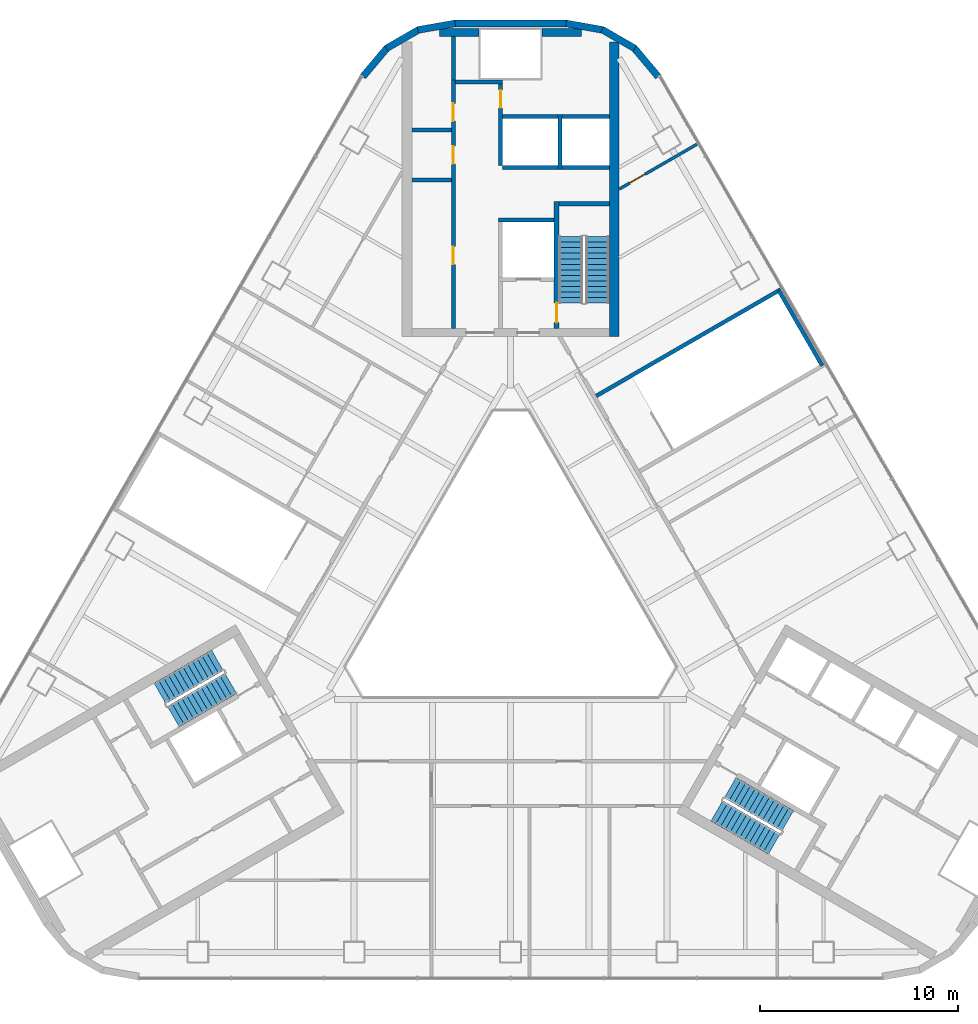
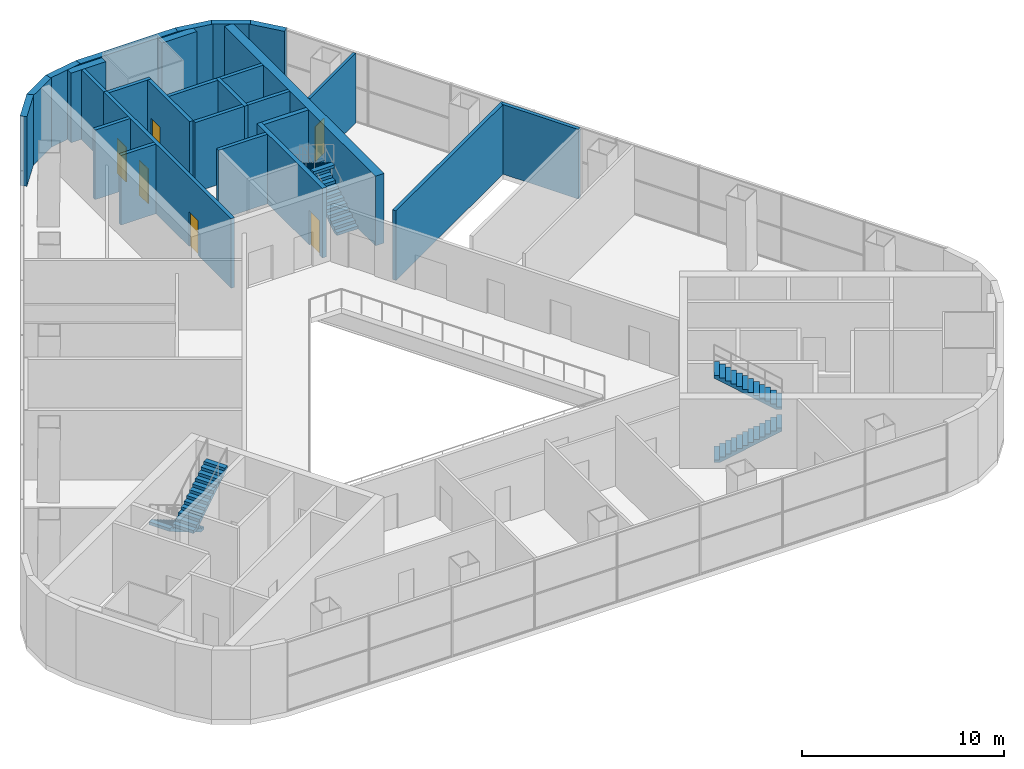
# One storey, part 10 of 12: 27 walls, 6 doors, 6 stair flights, 6 openings, 3 elements without a shape of their own.
"""IFC4 building model written with IfcOpenShell, lengths in metres."""

import ifcopenshell
import ifcopenshell.guid

model = None  # the IFC model being written
_history = None  # IfcOwnerHistory: only IFC2X3 demands one
_inside = {}  # id of a spatial element -> (the spatial element, [elements in it])
_under = {}  # id of a project, library or spatial element -> (it, [spatial elements below it])
_declared = {}  # id of a project -> (the project, [libraries it declares])
_typed = {}  # id of a type object -> (the type object, [elements of that type])
_made_of = {}  # id of a material, layer set ... -> (it, [elements and type objects made of it])


def new_model(schema):
    """Start an empty IFC model of exactly this schema.

    Asked for "IFC4X3", IfcOpenShell would pick the latest addendum, in which some entities
    have other attributes; the version numbers below select the first issue.
    IFC2X3 requires an IfcOwnerHistory on every rooted entity: one is made here for all.
    """
    global model, _history
    if schema == "IFC4X3":
        model = ifcopenshell.file(schema_version=(4, 3, 0, 0))
    else:
        model = ifcopenshell.file(schema=schema)
    _inside.clear()
    _under.clear()
    _declared.clear()
    _typed.clear()
    _made_of.clear()
    _history = None
    if model.schema == "IFC2X3":
        org = make("IfcOrganization", Name="unknown")
        user = make(
            "IfcPersonAndOrganization",
            ThePerson=make("IfcPerson", FamilyName="unknown"),
            TheOrganization=org,
        )
        app = make(
            "IfcApplication",
            ApplicationDeveloper=org,
            Version="unknown",
            ApplicationFullName="unknown",
            ApplicationIdentifier="unknown",
        )
        _history = make(
            "IfcOwnerHistory",
            OwningUser=user,
            OwningApplication=app,
            ChangeAction="ADDED",
            CreationDate=0,
        )
    return model


def make(cls, **values):
    """One entity of the class cls with the attributes given. An attribute that is None is left unset."""
    return model.create_entity(
        cls, **{name: value for name, value in values.items() if value is not None}
    )


def rooted(cls, **values):
    """An entity with a GlobalId (a new one), such as an element, a storey or a relation."""
    return make(cls, GlobalId=ifcopenshell.guid.new(), OwnerHistory=_history, **values)


def si_unit(unit_type, name, prefix=None):
    """IfcSIUnit, for example si_unit("LENGTHUNIT", "METRE", prefix="MILLI")."""
    return make("IfcSIUnit", UnitType=unit_type, Prefix=prefix, Name=name)


def assignment(units):
    """IfcUnitAssignment: the units of a project."""
    return None if units is None else make("IfcUnitAssignment", Units=units)


def point(xyz):
    """IfcCartesianPoint."""
    return None if xyz is None else make("IfcCartesianPoint", Coordinates=xyz)


def direction(xyz):
    """IfcDirection."""
    return None if xyz is None else make("IfcDirection", DirectionRatios=xyz)


def frame(location, z_axis=None, x_axis=None):
    """IfcAxis2Placement3D, a coordinate frame: its origin and axes. An axis left out is left unset."""
    return make(
        "IfcAxis2Placement3D",
        Location=point(location),
        Axis=direction(z_axis),
        RefDirection=direction(x_axis),
    )


def frame_2d(location, x_axis=None):
    """IfcAxis2Placement2D, a coordinate frame in the plane: its origin and x axis."""
    return make(
        "IfcAxis2Placement2D", Location=point(location), RefDirection=direction(x_axis)
    )


def origin():
    """The frame at (0, 0, 0) with its axes left unset."""
    return frame((0.0, 0.0, 0.0))


def place(relative_to, where):
    """IfcLocalPlacement: puts the frame where relative to a parent placement (None: the world)."""
    return make(
        "IfcLocalPlacement", PlacementRelTo=relative_to, RelativePlacement=where
    )


def context(
    kind, dimensions, precision=None, world=None, true_north=None, identifier=None
):
    """IfcGeometricRepresentationContext, for example the 3D "Model" context."""
    return make(
        "IfcGeometricRepresentationContext",
        ContextIdentifier=identifier,
        ContextType=kind,
        CoordinateSpaceDimension=dimensions,
        Precision=precision,
        WorldCoordinateSystem=world,
        TrueNorth=true_north,
    )


def subcontext(parent, identifier, kind, view, scale=None):
    """IfcGeometricRepresentationSubContext, for example "Body" below "Model"."""
    return make(
        "IfcGeometricRepresentationSubContext",
        ContextIdentifier=identifier,
        ContextType=kind,
        ParentContext=parent,
        TargetScale=scale,
        TargetView=view,
    )


def project(units=None, contexts=None):
    """IfcProject with its units and contexts."""
    return rooted(
        "IfcProject",
        Name="project",
        RepresentationContexts=contexts,
        UnitsInContext=assignment(units),
    )


def spatial(cls, under=None, at=None, **own):
    """A site, building, storey or space (cls), placed at a placement, below another one or the project."""
    s = rooted(cls, ObjectPlacement=at, **own)
    if under is not None:
        _under.setdefault(under.id(), (under, []))[1].append(s)
    return s


def polyline(points):
    """IfcPolyline through the points."""
    return make("IfcPolyline", Points=[point(p) for p in points])


def profile(cls, at=None, kind="AREA", **sizes):
    """A parametric profile (cls). Its sizes go by their IFC names, for example OverallWidth=200.0."""
    return make(cls, ProfileType=kind, Position=at, **sizes)


def rectangle(**sizes):
    """IfcRectangleProfileDef."""
    return profile("IfcRectangleProfileDef", **sizes)


def outline(outer, holes=None, kind="AREA"):
    """IfcArbitraryClosedProfileDef: a profile drawn as a closed curve; with holes, ...WithVoids."""
    if holes is None:
        return make("IfcArbitraryClosedProfileDef", ProfileType=kind, OuterCurve=outer)
    return make(
        "IfcArbitraryProfileDefWithVoids",
        ProfileType=kind,
        OuterCurve=outer,
        InnerCurves=holes,
    )


def extrude(swept, where, along, depth):
    """IfcExtrudedAreaSolid: the profile swept, set in the frame where, extruded along a direction by depth."""
    return make(
        "IfcExtrudedAreaSolid",
        SweptArea=swept,
        Position=where,
        ExtrudedDirection=direction(along),
        Depth=depth,
    )


def shape(context_of_items, identifier, shape_type, items):
    """IfcShapeRepresentation: the items that make up one representation, for example the "Body"."""
    return make(
        "IfcShapeRepresentation",
        ContextOfItems=context_of_items,
        RepresentationIdentifier=identifier,
        RepresentationType=shape_type,
        Items=items,
    )


def material(Name=None, Category=None):
    """IfcMaterial."""
    return make("IfcMaterial", Name=Name, Category=Category)


def layer(
    of_material, thickness, ventilated=None, Name=None, Category=None, Priority=None
):
    """IfcMaterialLayer: one layer of a wall or slab, of a material (None: an air gap)."""
    return make(
        "IfcMaterialLayer",
        Material=of_material,
        LayerThickness=thickness,
        IsVentilated=ventilated,
        Name=Name,
        Category=Category,
        Priority=Priority,
    )


def layer_set(layers, Name=None):
    """IfcMaterialLayerSet."""
    return make("IfcMaterialLayerSet", MaterialLayers=layers, LayerSetName=Name)


def made_of(thing, what):
    """Note that an element or type object is made of a material, layer set ...; save() writes the relation."""
    if what is not None:
        _made_of.setdefault(what.id(), (what, []))[1].append(thing)
    return thing


def type_object(cls, material=None, **own):
    """A type object (cls), such as IfcWallType, which elements share."""
    return made_of(rooted(cls, **own), material)


def element(
    cls,
    number,
    at=None,
    inside=None,
    cuts=None,
    type_object=None,
    material=None,
    context=None,
    identifier="Body",
    shape_type=None,
    held_by="IfcProductDefinitionShape",
    body=None,
    shapes=None,
    **own,
):
    """One element of the class cls, such as IfcWall. Its Tag is "e" and its number.

    at: its placement. inside: the storey or other place that contains it. cuts: it is an
    opening in that element (IfcRelVoidsElement). A single representation is given by context,
    identifier, shape_type and body (its items); several are given by shapes. held_by: the class
    of the entity that holds the representations. save() writes the other relations.
    """
    e = rooted(cls, Tag="e%d" % number, ObjectPlacement=at, **own)
    if body is not None:
        shapes = [shape(context, identifier, shape_type, body)]
    if shapes is not None:
        e.Representation = make(held_by, Representations=shapes)
    if inside is not None:
        _inside.setdefault(inside.id(), (inside, []))[1].append(e)
    if cuts is not None:
        rooted(
            "IfcRelVoidsElement", RelatingBuildingElement=cuts, RelatedOpeningElement=e
        )
    if type_object is not None:
        _typed.setdefault(type_object.id(), (type_object, []))[1].append(e)
    return made_of(e, material)


def fill(opening, filler):
    """IfcRelFillsElement: the door or window that sits in an opening."""
    return rooted(
        "IfcRelFillsElement",
        RelatingOpeningElement=opening,
        RelatedBuildingElement=filler,
    )


def aggregate(whole, parts):
    """IfcRelAggregates: a whole, such as a stair, and the parts it consists of."""
    return rooted("IfcRelAggregates", RelatingObject=whole, RelatedObjects=parts)


def save(model, path):
    """Write the relations noted so far, then the file.

    IfcRelAggregates (storeys below a building ...), IfcRelContainedInSpatialStructure (elements
    in a storey), IfcRelDefinesByType, IfcRelAssociatesMaterial and IfcRelDeclares: one each for
    every whole, place, type object, material and project.
    """
    for whole, parts in _under.values():
        aggregate(whole, parts)
    for where, things in _inside.values():
        rooted(
            "IfcRelContainedInSpatialStructure",
            RelatedElements=things,
            RelatingStructure=where,
        )
    for kind, things in _typed.values():
        rooted("IfcRelDefinesByType", RelatedObjects=things, RelatingType=kind)
    for what, things in _made_of.values():
        rooted("IfcRelAssociatesMaterial", RelatedObjects=things, RelatingMaterial=what)
    for by, libraries in _declared.values():
        rooted("IfcRelDeclares", RelatingContext=by, RelatedDefinitions=libraries)
    model.write(path)


model = new_model("IFC4")

# Units and contexts
model_context = context("Model", 3, precision=1e-05, world=origin(), true_north=direction((0.0, 1.0)))
body_context = subcontext(model_context, "Body", "Model", "MODEL_VIEW")
ifc_project = project(units=[si_unit("LENGTHUNIT", "METRE"), si_unit("AREAUNIT", "SQUARE_METRE"), si_unit("VOLUMEUNIT", "CUBIC_METRE"), si_unit("PLANEANGLEUNIT", "RADIAN"), si_unit("MASSUNIT", "GRAM", prefix="KILO")], contexts=[model_context])

# Site, building, storey
site_placement = place(None, origin())
site = spatial("IfcSite", under=ifc_project, at=site_placement, CompositionType="ELEMENT")
building_placement = place(site_placement, origin())
building = spatial("IfcBuilding", under=site, at=building_placement, Name="Apuvela Tower Hotel", CompositionType="ELEMENT")
storey_placement = place(building_placement, frame((0.0, 0.0, 33.0)))
storey = spatial("IfcBuildingStorey", under=building, at=storey_placement, Name="L05", CompositionType="ELEMENT", Elevation=33.0)

# Walls
ifc_material_1 = material(Name="Concrete C50/60", Category="concrete")
ifc_layer_1 = layer(ifc_material_1, 0.39990234375)
ifc_layer_set_1 = layer_set([ifc_layer_1], Name="COR-WALL-CORE-400")
wall_type_1 = type_object("IfcWallType", Name="COR-WALL-CORE-400", PredefinedType="SHEAR", material=ifc_layer_set_1)
for number, where, z_axis, x_axis, name in (
    (1, (-1.60009765625, 28.300048828125, 0.0), (0.0, 0.0, 1.0), (-1.0, 0.0, 0.0), "Core wall N"),
    (2, (3.589111328125, 28.300048828125, 0.0), (0.0, 0.0, 1.0), (-1.0, 0.0, 0.0), "Core wall N"),
):
    element("IfcWall", number, at=place(storey_placement, frame(where, z_axis=z_axis, x_axis=x_axis)), inside=storey, type_object=wall_type_1, Name=name, PredefinedType="SHEAR", context=body_context, shape_type="SweptSolid", body=[
        extrude(rectangle(XDim=1.989013671875, YDim=0.39990234375, at=frame_2d((0.99462890625, 0.0))), origin(), (0.0, 0.0, 1.0), 4.199951171875),
    ])
ifc_layer_2 = layer(ifc_material_1, 0.5)
ifc_layer_set_2 = layer_set([ifc_layer_2], Name="COR-WALL-CORE-500")
wall_type_2 = type_object("IfcWallType", Name="COR-WALL-CORE-500", PredefinedType="SHEAR", material=ifc_layer_set_2)
wall_1_placement = place(storey_placement, frame((5.25, 12.89990234375, 0.0), z_axis=(0.0, 0.0, 1.0), x_axis=(0.0, 1.0, 0.0)))
element("IfcWall", 3, at=wall_1_placement, inside=storey, type_object=wall_type_2, Name="Core wall N", PredefinedType="SHEAR", context=body_context, shape_type="SweptSolid", body=[
    extrude(rectangle(XDim=14.910400390625, YDim=0.5, at=frame_2d((7.455078125, 0.0))), origin(), (0.0, 0.0, 1.0), 4.199951171875),
])
ifc_material_2 = material(Name="Blockwork 200 mm plastered", Category="masonry")
ifc_layer_3 = layer(ifc_material_2, 0.199951171875)
ifc_layer_set_3 = layer_set([ifc_layer_3], Name="COR-WALL-PART-200")
wall_type_3 = type_object("IfcWallType", Name="COR-WALL-PART-200", PredefinedType="PARTITIONING", material=ifc_layer_set_3)
wall_2_placement = place(storey_placement, frame((5.0, 21.449951171875, 0.0), z_axis=(0.0, 0.0, 1.0), x_axis=(-1.0, 0.0, 0.0)))
element("IfcWall", 4, at=wall_2_placement, inside=storey, type_object=wall_type_3, Name="Partition N", PredefinedType="PARTITIONING", context=body_context, shape_type="SweptSolid", body=[
    extrude(rectangle(XDim=2.39990234375, YDim=0.199951171875, at=frame_2d((1.199951171875, 0.0))), origin(), (0.0, 0.0, 1.0), 4.199951171875),
])
wall_3_placement = place(storey_placement, frame((2.39990234375, 21.449951171875, 0.0), z_axis=(0.0, 0.0, 1.0), x_axis=(-1.0, 0.0, 0.0)))
element("IfcWall", 5, at=wall_3_placement, inside=storey, type_object=wall_type_3, Name="Partition N", PredefinedType="PARTITIONING", context=body_context, shape_type="SweptSolid", body=[
    extrude(rectangle(XDim=2.7998046875, YDim=0.199951171875, at=frame_2d((1.39990234375, 0.0))), origin(), (0.0, 0.0, 1.0), 4.199951171875),
])
ifc_layer_4 = layer(ifc_material_1, 0.199951171875)
ifc_layer_set_4 = layer_set([ifc_layer_4], Name="COR-WALL-SHAFT-200")
wall_type_4 = type_object("IfcWallType", Name="COR-WALL-SHAFT-200", PredefinedType="SHEAR", material=ifc_layer_set_4)
wall_4_placement = place(storey_placement, frame((2.199951171875, 18.800048828125, 0.0), z_axis=(0.0, 0.0, 1.0), x_axis=(-1.0, 0.0, 0.0)))
element("IfcWall", 6, at=wall_4_placement, inside=storey, type_object=wall_type_4, Name="Shaft wall N", PredefinedType="SHEAR", context=body_context, shape_type="SweptSolid", body=[
    extrude(rectangle(XDim=2.800048828125, YDim=0.199951171875, at=frame_2d((1.39990234375, 0.0))), origin(), (0.0, 0.0, 1.0), 4.199951171875),
])

# Wall, openings, doors
wall_5_placement = place(storey_placement, frame((-2.89990234375, 13.300048828125, 0.0), z_axis=(0.0, 0.0, 1.0), x_axis=(0.0, 1.0, 0.0)))
wall_5 = element("IfcWall", 7, at=wall_5_placement, inside=storey, type_object=wall_type_4, Name="Shaft wall N", PredefinedType="SHEAR", context=body_context, shape_type="SweptSolid", body=[
    extrude(rectangle(XDim=12.599853515625, YDim=0.199951171875, at=frame_2d((6.2998046875, 0.0))), origin(), (0.0, 0.0, 1.0), 4.199951171875),
])
opening_1_placement = place(wall_5_placement, frame((3.260009765625, 0.0, 0.0)))
opening_1 = element("IfcOpeningElement", 8, at=opening_1_placement, cuts=wall_5, Name="Opening N-RE1", PredefinedType="OPENING", context=body_context, shape_type="SweptSolid", body=[
    extrude(rectangle(XDim=0.89990234375, YDim=2.10009765625, at=frame_2d((0.449951171875, 1.050048828125))), frame((0.0, 0.10986328125, 0.0), z_axis=(0.0, -1.0, 0.0), x_axis=(1.0, 0.0, 0.0)), (0.0, 0.0, 1.0), 0.219970703125),
])
opening_2_placement = place(wall_5_placement, frame((8.340087890625, 0.0, 0.0)))
opening_2 = element("IfcOpeningElement", 9, at=opening_2_placement, cuts=wall_5, Name="Opening N-RE4", PredefinedType="OPENING", context=body_context, shape_type="SweptSolid", body=[
    extrude(rectangle(XDim=0.89990234375, YDim=2.10009765625, at=frame_2d((0.449951171875, 1.050048828125))), frame((0.0, 0.10986328125, 0.0), z_axis=(0.0, -1.0, 0.0), x_axis=(1.0, 0.0, 0.0)), (0.0, 0.0, 1.0), 0.219970703125),
])
opening_3_placement = place(wall_5_placement, frame((10.510009765625, 0.0, 0.0)))
opening_3 = element("IfcOpeningElement", 10, at=opening_3_placement, cuts=wall_5, Name="Opening N-REP", PredefinedType="OPENING", context=body_context, shape_type="SweptSolid", body=[
    extrude(rectangle(XDim=0.89990234375, YDim=2.10009765625, at=frame_2d((0.449951171875, 1.050048828125))), frame((0.0, 0.10986328125, 0.0), z_axis=(0.0, -1.0, 0.0), x_axis=(1.0, 0.0, 0.0)), (0.0, 0.0, 1.0), 0.219970703125),
])
ifc_material_3 = material(Name="Steel fire door, powder coated", Category="steel")
door_type_1 = type_object("IfcDoorType", Name="COR-DR-900", OperationType="NOTDEFINED", PredefinedType="DOOR", material=ifc_material_3)
door_1_placement = place(opening_1_placement, origin())
door_1 = element("IfcDoor", 11, at=door_1_placement, inside=storey, type_object=door_type_1, Name="Store door N-RE1", OperationType="SINGLE_SWING_LEFT", OverallHeight=2.10009765625, OverallWidth=0.89990234375, PredefinedType="DOOR", context=body_context, shape_type="SweptSolid", body=[
    extrude(rectangle(XDim=0.89990234375, YDim=2.10009765625, at=frame_2d((0.449951171875, 1.050048828125))), frame((0.0, 0.02490234375, 0.0), z_axis=(0.0, -1.0, 0.0), x_axis=(1.0, 0.0, 0.0)), (0.0, 0.0, 1.0), 0.050048828125),
])
fill(opening_1, door_1)
door_2_placement = place(opening_2_placement, origin())
door_2 = element("IfcDoor", 12, at=door_2_placement, inside=storey, type_object=door_type_1, Name="Store door N-RE4", OperationType="SINGLE_SWING_LEFT", OverallHeight=2.10009765625, OverallWidth=0.89990234375, PredefinedType="DOOR", context=body_context, shape_type="SweptSolid", body=[
    extrude(rectangle(XDim=0.89990234375, YDim=2.10009765625, at=frame_2d((0.449951171875, 1.050048828125))), frame((0.0, 0.02490234375, 0.0), z_axis=(0.0, -1.0, 0.0), x_axis=(1.0, 0.0, 0.0)), (0.0, 0.0, 1.0), 0.050048828125),
])
fill(opening_2, door_2)
door_3_placement = place(opening_3_placement, origin())
door_3 = element("IfcDoor", 13, at=door_3_placement, inside=storey, type_object=door_type_1, Name="Store door N-REP", OperationType="SINGLE_SWING_RIGHT", OverallHeight=2.10009765625, OverallWidth=0.89990234375, PredefinedType="DOOR", context=body_context, shape_type="SweptSolid", body=[
    extrude(rectangle(XDim=0.89990234375, YDim=2.10009765625, at=frame_2d((0.449951171875, 1.050048828125))), frame((0.0, 0.02490234375, 0.0), z_axis=(0.0, -1.0, 0.0), x_axis=(1.0, 0.0, 0.0)), (0.0, 0.0, 1.0), 0.050048828125),
])
fill(opening_3, door_3)

# Wall
wall_6_placement = place(storey_placement, frame((-0.39990234375, 25.800048828125, 0.0), z_axis=(0.0, 0.0, 1.0), x_axis=(-1.0, 0.0, 0.0)))
element("IfcWall", 14, at=wall_6_placement, inside=storey, type_object=wall_type_4, Name="Shaft wall N", PredefinedType="SHEAR", context=body_context, shape_type="SweptSolid", body=[
    extrude(rectangle(XDim=2.400146484375, YDim=0.199951171875, at=frame_2d((1.2001953125, 0.0))), origin(), (0.0, 0.0, 1.0), 4.199951171875),
])

# Wall, opening, door
wall_7_placement = place(storey_placement, frame((-0.5, 21.550048828125, 0.0), z_axis=(0.0, 0.0, 1.0), x_axis=(0.0, 1.0, 0.0)))
wall_7 = element("IfcWall", 15, at=wall_7_placement, inside=storey, type_object=wall_type_4, Name="Shaft wall N", PredefinedType="SHEAR", context=body_context, shape_type="SweptSolid", body=[
    extrude(rectangle(XDim=4.14990234375, YDim=0.199951171875, at=frame_2d((2.074951171875, 0.0))), origin(), (0.0, 0.0, 1.0), 4.199951171875),
])
opening_4_placement = place(wall_7_placement, frame((2.925048828125, 0.0, 0.0)))
opening_4 = element("IfcOpeningElement", 16, at=opening_4_placement, cuts=wall_7, Name="Opening N-RSP", PredefinedType="OPENING", context=body_context, shape_type="SweptSolid", body=[
    extrude(rectangle(XDim=0.89990234375, YDim=2.10009765625, at=frame_2d((0.449951171875, 1.050048828125))), frame((0.0, 0.10986328125, 0.0), z_axis=(0.0, -1.0, 0.0), x_axis=(1.0, 0.0, 0.0)), (0.0, 0.0, 1.0), 0.219970703125),
])
door_4_placement = place(opening_4_placement, frame((0.89990234375, 0.0, 0.0), z_axis=(0.0, 0.0, 1.0), x_axis=(-1.0, 0.0, 0.0)))
door_4 = element("IfcDoor", 17, at=door_4_placement, inside=storey, type_object=door_type_1, Name="Store door N-RSP", OperationType="SINGLE_SWING_LEFT", OverallHeight=2.10009765625, OverallWidth=0.89990234375, PredefinedType="DOOR", context=body_context, shape_type="SweptSolid", body=[
    extrude(rectangle(XDim=0.89990234375, YDim=2.10009765625, at=frame_2d((0.449951171875, 1.050048828125))), frame((0.0, 0.02490234375, 0.0), z_axis=(0.0, -1.0, 0.0), x_axis=(1.0, 0.0, 0.0)), (0.0, 0.0, 1.0), 0.050048828125),
])
fill(opening_4, door_4)

# Walls
for number, where, z_axis, x_axis, name in (
    (18, (-3.0, 20.820068359375, 0.0), (0.0, 0.0, 1.0), (-1.0, 0.0, 0.0), "Shaft wall N"),
    (19, (-3.0, 23.360107421875, 0.0), (0.0, 0.0, 1.0), (-1.0, 0.0, 0.0), "Shaft wall N"),
):
    element("IfcWall", number, at=place(storey_placement, frame(where, z_axis=z_axis, x_axis=x_axis)), inside=storey, type_object=wall_type_4, Name=name, PredefinedType="SHEAR", context=body_context, shape_type="SweptSolid", body=[
        extrude(rectangle(XDim=2.0, YDim=0.199951171875, at=frame_2d((1.0, 0.0))), origin(), (0.0, 0.0, 1.0), 4.199951171875),
    ])
wall_8_placement = place(storey_placement, frame((-2.89990234375, 25.89990234375, 0.0), z_axis=(0.0, 0.0, 1.0), x_axis=(0.0, 1.0, 0.0)))
element("IfcWall", 20, at=wall_8_placement, inside=storey, type_object=wall_type_4, Name="Shaft wall N", PredefinedType="SHEAR", context=body_context, shape_type="SweptSolid", body=[
    extrude(rectangle(XDim=2.2001953125, YDim=0.199951171875, at=frame_2d((1.10009765625, 0.0))), origin(), (0.0, 0.0, 1.0), 4.199951171875),
])
wall_9_placement = place(storey_placement, frame((2.5, 21.35009765625, 0.0), z_axis=(0.0, 0.0, 1.0), x_axis=(0.0, 1.0, 0.0)))
element("IfcWall", 21, at=wall_9_placement, inside=storey, type_object=wall_type_4, Name="Shaft wall N", PredefinedType="SHEAR", context=body_context, shape_type="SweptSolid", body=[
    extrude(rectangle(XDim=2.7998046875, YDim=0.199951171875, at=frame_2d((1.39990234375, 0.0))), origin(), (0.0, 0.0, 1.0), 4.199951171875),
])
wall_10_placement = place(storey_placement, frame((5.0, 24.050048828125, 0.0), z_axis=(0.0, 0.0, 1.0), x_axis=(-1.0, 0.0, 0.0)))
element("IfcWall", 22, at=wall_10_placement, inside=storey, type_object=wall_type_4, Name="Shaft wall N", PredefinedType="SHEAR", context=body_context, shape_type="SweptSolid", body=[
    extrude(rectangle(XDim=2.39990234375, YDim=0.199951171875, at=frame_2d((1.199951171875, 0.0))), origin(), (0.0, 0.0, 1.0), 4.199951171875),
])
wall_11_placement = place(storey_placement, frame((2.39990234375, 24.050048828125, 0.0), z_axis=(0.0, 0.0, 1.0), x_axis=(-1.0, 0.0, 0.0)))
element("IfcWall", 23, at=wall_11_placement, inside=storey, type_object=wall_type_4, Name="Shaft wall N", PredefinedType="SHEAR", context=body_context, shape_type="SweptSolid", body=[
    extrude(rectangle(XDim=2.7998046875, YDim=0.199951171875, at=frame_2d((1.39990234375, 0.0))), origin(), (0.0, 0.0, 1.0), 4.199951171875),
])

# Wall, opening, door
ifc_layer_5 = layer(ifc_material_1, 0.25)
ifc_layer_set_5 = layer_set([ifc_layer_5], Name="COR-WALL-STAIR-250")
wall_type_5 = type_object("IfcWallType", Name="COR-WALL-STAIR-250", PredefinedType="SHEAR", material=ifc_layer_set_5)
wall_12_placement = place(storey_placement, frame((2.324951171875, 13.300048828125, 0.0), z_axis=(0.0, 0.0, 1.0), x_axis=(0.0, 1.0, 0.0)))
wall_12 = element("IfcWall", 24, at=wall_12_placement, inside=storey, type_object=wall_type_5, Name="Stair wall N", PredefinedType="SHEAR", context=body_context, shape_type="SweptSolid", body=[
    extrude(rectangle(XDim=6.449951171875, YDim=0.25, at=frame_2d((3.22509765625, 0.0))), origin(), (0.0, 0.0, 1.0), 4.199951171875),
])
opening_5_placement = place(wall_12_placement, frame((0.300048828125, 0.0, 0.0)))
opening_5 = element("IfcOpeningElement", 25, at=opening_5_placement, cuts=wall_12, Name="Opening N-SD", PredefinedType="OPENING", context=body_context, shape_type="SweptSolid", body=[
    extrude(rectangle(XDim=1.0, YDim=2.10009765625, at=frame_2d((0.5, 1.050048828125))), frame((0.0, 0.135009765625, 0.0), z_axis=(0.0, -1.0, 0.0), x_axis=(1.0, 0.0, 0.0)), (0.0, 0.0, 1.0), 0.27001953125),
])
door_type_2 = type_object("IfcDoorType", Name="COR-SD-1000", OperationType="NOTDEFINED", PredefinedType="DOOR", material=ifc_material_3)
door_5_placement = place(opening_5_placement, frame((1.0, 0.0, 0.0), z_axis=(0.0, 0.0, 1.0), x_axis=(-1.0, 0.0, 0.0)))
door_5 = element("IfcDoor", 26, at=door_5_placement, inside=storey, type_object=door_type_2, Name="Stair door N-SD", OperationType="SINGLE_SWING_LEFT", OverallHeight=2.10009765625, OverallWidth=1.0, PredefinedType="DOOR", context=body_context, shape_type="SweptSolid", body=[
    extrude(rectangle(XDim=1.0, YDim=2.10009765625, at=frame_2d((0.5, 1.050048828125))), frame((0.0, 0.02490234375, 0.0), z_axis=(0.0, -1.0, 0.0), x_axis=(1.0, 0.0, 0.0)), (0.0, 0.0, 1.0), 0.050048828125),
])
fill(opening_5, door_5)

# Walls
wall_13_placement = place(storey_placement, frame((5.0, 19.625, 0.0), z_axis=(0.0, 0.0, 1.0), x_axis=(-1.0, 0.0, 0.0)))
element("IfcWall", 27, at=wall_13_placement, inside=storey, type_object=wall_type_5, Name="Stair wall N", PredefinedType="SHEAR", context=body_context, shape_type="SweptSolid", body=[
    extrude(rectangle(XDim=2.550048828125, YDim=0.25, at=frame_2d((1.27490234375, 0.0))), origin(), (0.0, 0.0, 1.0), 4.199951171875),
])
ifc_material_4 = material(Name="Concrete C40/50, dark pigmented precast panel", Category="concrete")
ifc_layer_6 = layer(ifc_material_4, 0.35009765625)
ifc_layer_set_6 = layer_set([ifc_layer_6], Name="ENV-WALL-350")
wall_type_6 = type_object("IfcWallType", Name="ENV-WALL-350", PredefinedType="SOLIDWALL", material=ifc_layer_set_6)
for number, where, z_axis, x_axis, name in (
    (28, (6.291748046875, 27.486328125, 0.0), (0.0, 0.0, 1.0), (-0.866013568815, 0.500020498207, 0.0), "External wall L05-01"),
    (29, (4.69091796875, 28.4228515625, 0.0), (0.0, 0.0, 1.0), (-0.984802808481, 0.173676217163, 0.0), "External wall L05-02"),
):
    element("IfcWall", number, at=place(storey_placement, frame(where, z_axis=z_axis, x_axis=x_axis)), inside=storey, type_object=wall_type_6, Name=name, PredefinedType="SOLIDWALL", context=body_context, shape_type="SweptSolid", body=[
        extrude(rectangle(XDim=1.91455078125, YDim=0.35009765625, at=frame_2d((0.957275390625, 0.0))), origin(), (0.0, 0.0, 1.0), 4.199951171875),
    ])
wall_14_placement = place(storey_placement, frame((2.835693359375, 28.752685546875, 0.0), z_axis=(0.0, 0.0, 1.0), x_axis=(-1.0, 0.0, 0.0)))
element("IfcWall", 30, at=wall_14_placement, inside=storey, type_object=wall_type_6, Name="External wall L05-03", PredefinedType="SOLIDWALL", context=body_context, shape_type="SweptSolid", body=[
    extrude(rectangle(XDim=5.67138671875, YDim=0.35009765625, at=frame_2d((2.835693359375, 0.0))), origin(), (0.0, 0.0, 1.0), 4.199951171875),
])
for number, where, z_axis, x_axis, name in (
    (31, (-2.805419921875, 28.75537109375, 0.0), (0.0, 0.0, 1.0), (-0.984802808481, -0.173676217163, 0.0), "External wall L05-04"),
    (32, (-4.6337890625, 28.443603515625, 0.0), (0.0, 0.0, 1.0), (-0.866013568815, -0.500020498207, 0.0), "External wall L05-05"),
    (33, (-6.2451171875, 27.525390625, 0.0), (0.0, 0.0, 1.0), (-0.64282715853, -0.766011255959, 0.0), "External wall L05-06"),
    (34, (7.475830078125, 26.058837890625, 0.0), (0.0, 0.0, 1.0), (-0.64282715853, 0.766011255959, 0.0), "External wall L05-24"),
):
    element("IfcWall", number, at=place(storey_placement, frame(where, z_axis=z_axis, x_axis=x_axis)), inside=storey, type_object=wall_type_6, Name=name, PredefinedType="SOLIDWALL", context=body_context, shape_type="SweptSolid", body=[
        extrude(rectangle(XDim=1.91455078125, YDim=0.35009765625, at=frame_2d((0.957275390625, 0.0))), origin(), (0.0, 0.0, 1.0), 4.199951171875),
    ])

# Wall, opening, door
ifc_material_5 = material(Name="Gypsum board partition on steel stud", Category="steel")
ifc_layer_7 = layer(ifc_material_5, 0.14990234375)
ifc_layer_set_7 = layer_set([ifc_layer_7], Name="SPC-WALL-PARTITION")
wall_type_7 = type_object("IfcWallType", Name="SPC-WALL-PARTITION", PredefinedType="PARTITIONING", material=ifc_layer_set_7)
wall_15_placement = place(storey_placement, frame((9.423095703125, 22.630615234375, 0.0), z_axis=(0.0, 0.0, 1.0), x_axis=(-0.866012369481, -0.500022575396, 0.0)))
wall_15 = element("IfcWall", 35, at=wall_15_placement, inside=storey, type_object=wall_type_7, Name="Wall L05-NE-P04", PredefinedType="PARTITIONING", context=body_context, shape_type="SweptSolid", body=[
    extrude(rectangle(XDim=4.530029296875, YDim=0.14990234375, at=frame_2d((2.26513671875, 0.0))), origin(), (0.0, 0.0, 1.0), 4.199951171875),
])
opening_6_placement = place(wall_15_placement, frame((3.01513671875, 0.0, 0.0)))
opening_6 = element("IfcOpeningElement", 36, at=opening_6_placement, cuts=wall_15, Name="Opening L05-S05", PredefinedType="OPENING", context=body_context, shape_type="SweptSolid", body=[
    extrude(rectangle(XDim=0.89990234375, YDim=2.10009765625, at=frame_2d((0.449951171875, 1.050048828125))), frame((0.0, 0.0849609375, 0.0), z_axis=(0.0, -1.0, 0.0), x_axis=(1.0, 0.0, 0.0)), (0.0, 0.0, 1.0), 0.169921875),
])
ifc_material_6 = material(Name="Hardwood veneer door leaf", Category="wood")
door_type_3 = type_object("IfcDoorType", Name="SPC-DOOR-900", OperationType="NOTDEFINED", PredefinedType="DOOR", material=ifc_material_6)
door_6_placement = place(opening_6_placement, frame((0.89990234375, 0.0, 0.0), z_axis=(0.0, 0.0, 1.0), x_axis=(-1.0, 0.0, 0.0)))
door_6 = element("IfcDoor", 37, at=door_6_placement, inside=storey, type_object=door_type_3, Name="L05-S05", OperationType="SINGLE_SWING_RIGHT", OverallHeight=2.10009765625, OverallWidth=0.89990234375, PredefinedType="DOOR", context=body_context, shape_type="SweptSolid", body=[
    extrude(rectangle(XDim=0.89990234375, YDim=2.10009765625, at=frame_2d((0.449951171875, 1.050048828125))), frame((0.0, 0.02490234375, 0.0), z_axis=(0.0, -1.0, 0.0), x_axis=(1.0, 0.0, 0.0)), (0.0, 0.0, 1.0), 0.050048828125),
])
fill(opening_6, door_6)

# Walls
ifc_material_7 = material(Name="Concrete C40/50", Category="concrete")
ifc_layer_8 = layer(ifc_material_7, 0.199951171875)
ifc_layer_set_8 = layer_set([ifc_layer_8], Name="SPC-WALL-STAIR")
wall_type_8 = type_object("IfcWallType", Name="SPC-WALL-STAIR", PredefinedType="SOLIDWALL", material=ifc_layer_set_8)
wall_16_placement = place(storey_placement, frame((13.666748046875, 15.280517578125, 0.0), z_axis=(0.0, 0.0, 1.0), x_axis=(-0.866027503583, -0.499996363024, 0.0)))
element("IfcWall", 38, at=wall_16_placement, inside=storey, type_object=wall_type_8, Name="Wall L05-NE-P03", PredefinedType="SOLIDWALL", context=body_context, shape_type="SweptSolid", body=[
    extrude(rectangle(XDim=10.77587890625, YDim=0.199951171875, at=frame_2d((5.387939453125, 0.0))), origin(), (0.0, 0.0, 1.0), 4.199951171875),
])
wall_17_placement = place(storey_placement, frame((15.7802734375, 11.420166015625, 0.0), z_axis=(0.0, 0.0, 1.0), x_axis=(-0.50002983664, 0.866008176907, 0.0)))
element("IfcWall", 39, at=wall_17_placement, inside=storey, type_object=wall_type_8, Name="Wall L05-NE-FWX", PredefinedType="SOLIDWALL", context=body_context, shape_type="SweptSolid", body=[
    extrude(rectangle(XDim=4.400146484375, YDim=0.199951171875, at=frame_2d((2.2001953125, 0.0))), origin(), (0.0, 0.0, 1.0), 4.199951171875),
])

# Stair, stair flights
stair_type = type_object("IfcStairType", Name="COR-STAIR-26R", PredefinedType="HALF_TURN_STAIR", material=ifc_material_1)
stair_1_placement = place(storey_placement, origin())
stair_1 = element("IfcStair", 40, at=stair_1_placement, inside=storey, type_object=stair_type, Name="L05 Exit stair ST1", PredefinedType="HALF_TURN_STAIR")
stair_flight_type = type_object("IfcStairFlightType", Name="COR-FLIGHT-13R", PredefinedType="STRAIGHT", material=ifc_material_1)
stair_flight_1_placement = place(storey_placement, frame((4.39990234375, 14.60009765625, 0.0), z_axis=(0.0, 0.0, 1.0), x_axis=(0.0, 1.0, 0.0)))
stair_flight_1 = element("IfcStairFlight", 41, at=stair_flight_1_placement, type_object=stair_flight_type, Name="ST1 flight 1", NumberOfRisers=13, NumberOfTreads=12, PredefinedType="STRAIGHT", RiserHeight=0.173076923, TreadLength=0.28, context=body_context, shape_type="SweptSolid", body=[
    extrude(outline(polyline([(0.0, 0.0), (0.0, 0.173095703125), (0.280029296875, 0.173095703125), (0.280029296875, 0.34619140625), (0.56005859375, 0.34619140625), (0.56005859375, 0.519287109375), (0.840087890625, 0.519287109375), (0.840087890625, 0.6923828125), (1.1201171875, 0.6923828125), (1.1201171875, 0.865478515625), (1.39990234375, 0.865478515625), (1.39990234375, 1.03857421875), (1.679931640625, 1.03857421875), (1.679931640625, 1.21142578125), (1.9599609375, 1.21142578125), (1.9599609375, 1.384521484375), (2.239990234375, 1.384521484375), (2.239990234375, 1.5576171875), (2.52001953125, 1.5576171875), (2.52001953125, 1.730712890625), (2.800048828125, 1.730712890625), (2.800048828125, 1.90380859375), (3.080078125, 1.90380859375), (3.080078125, 2.076904296875), (3.360107421875, 2.076904296875), (3.360107421875, 2.25), (3.360107421875, 1.900634765625), (0.28515625, 0.0), (0.0, 0.0)])), frame((0.0, 0.60009765625, 0.0), z_axis=(0.0, -1.0, 0.0), x_axis=(1.0, 0.0, 0.0)), (0.0, 0.0, 1.0), 1.199951171875),
])
stair_flight_2_placement = place(storey_placement, frame((3.050048828125, 17.9599609375, 2.25), z_axis=(0.0, 0.0, 1.0), x_axis=(0.0, -1.0, 0.0)))
stair_flight_2 = element("IfcStairFlight", 42, at=stair_flight_2_placement, type_object=stair_flight_type, Name="ST1 flight 2", NumberOfRisers=13, NumberOfTreads=12, PredefinedType="STRAIGHT", RiserHeight=0.173076923, TreadLength=0.28, context=body_context, shape_type="SweptSolid", body=[
    extrude(outline(polyline([(0.0, 0.0), (0.0, 0.173095703125), (0.280029296875, 0.173095703125), (0.280029296875, 0.34619140625), (0.56005859375, 0.34619140625), (0.56005859375, 0.519287109375), (0.840087890625, 0.519287109375), (0.840087890625, 0.6923828125), (1.1201171875, 0.6923828125), (1.1201171875, 0.865478515625), (1.39990234375, 0.865478515625), (1.39990234375, 1.03857421875), (1.679931640625, 1.03857421875), (1.679931640625, 1.21142578125), (1.9599609375, 1.21142578125), (1.9599609375, 1.384521484375), (2.239990234375, 1.384521484375), (2.239990234375, 1.5576171875), (2.52001953125, 1.5576171875), (2.52001953125, 1.730712890625), (2.800048828125, 1.730712890625), (2.800048828125, 1.90380859375), (3.080078125, 1.90380859375), (3.080078125, 2.076904296875), (3.360107421875, 2.076904296875), (3.360107421875, 2.25), (3.360107421875, 1.900634765625), (0.28515625, 0.0), (0.0, 0.0)])), frame((0.0, 0.60009765625, 0.0), z_axis=(0.0, -1.0, 0.0), x_axis=(1.0, 0.0, 0.0)), (0.0, 0.0, 1.0), 1.199951171875),
])
aggregate(stair_1, [stair_flight_1, stair_flight_2])

stair_2_placement = place(storey_placement, origin())
stair_2 = element("IfcStair", 43, at=stair_2_placement, inside=storey, type_object=stair_type, Name="L05 Exit stair ST2", PredefinedType="HALF_TURN_STAIR")
stair_flight_3_placement = place(storey_placement, frame((-14.843994140625, -3.489501953125, 0.0), z_axis=(0.0, 0.0, 1.0), x_axis=(-0.866025403784, -0.5, 0.0)))
stair_flight_3 = element("IfcStairFlight", 44, at=stair_flight_3_placement, type_object=stair_flight_type, Name="ST2 flight 1", NumberOfRisers=13, NumberOfTreads=12, PredefinedType="STRAIGHT", RiserHeight=0.173076923, TreadLength=0.28, context=body_context, shape_type="SweptSolid", body=[
    extrude(outline(polyline([(0.0, 0.0), (0.0, 0.173095703125), (0.280029296875, 0.173095703125), (0.280029296875, 0.34619140625), (0.56005859375, 0.34619140625), (0.56005859375, 0.519287109375), (0.840087890625, 0.519287109375), (0.840087890625, 0.6923828125), (1.1201171875, 0.6923828125), (1.1201171875, 0.865478515625), (1.39990234375, 0.865478515625), (1.39990234375, 1.03857421875), (1.679931640625, 1.03857421875), (1.679931640625, 1.21142578125), (1.9599609375, 1.21142578125), (1.9599609375, 1.384521484375), (2.239990234375, 1.384521484375), (2.239990234375, 1.5576171875), (2.52001953125, 1.5576171875), (2.52001953125, 1.730712890625), (2.800048828125, 1.730712890625), (2.800048828125, 1.90380859375), (3.080078125, 1.90380859375), (3.080078125, 2.076904296875), (3.360107421875, 2.076904296875), (3.360107421875, 2.25), (3.360107421875, 1.900634765625), (0.28515625, 0.0), (0.0, 0.0)])), frame((0.0, 0.60009765625, 0.0), z_axis=(0.0, -1.0, 0.0), x_axis=(1.0, 0.0, 0.0)), (0.0, 0.0, 1.0), 1.199951171875),
])
stair_flight_4_placement = place(storey_placement, frame((-17.078857421875, -6.338623046875, 2.25), z_axis=(0.0, 0.0, 1.0), x_axis=(0.866025403784, 0.5, 0.0)))
stair_flight_4 = element("IfcStairFlight", 45, at=stair_flight_4_placement, type_object=stair_flight_type, Name="ST2 flight 2", NumberOfRisers=13, NumberOfTreads=12, PredefinedType="STRAIGHT", RiserHeight=0.173076923, TreadLength=0.28, context=body_context, shape_type="SweptSolid", body=[
    extrude(outline(polyline([(0.0, 0.0), (0.0, 0.173095703125), (0.280029296875, 0.173095703125), (0.280029296875, 0.34619140625), (0.56005859375, 0.34619140625), (0.56005859375, 0.519287109375), (0.840087890625, 0.519287109375), (0.840087890625, 0.6923828125), (1.1201171875, 0.6923828125), (1.1201171875, 0.865478515625), (1.39990234375, 0.865478515625), (1.39990234375, 1.03857421875), (1.679931640625, 1.03857421875), (1.679931640625, 1.21142578125), (1.9599609375, 1.21142578125), (1.9599609375, 1.384521484375), (2.239990234375, 1.384521484375), (2.239990234375, 1.5576171875), (2.52001953125, 1.5576171875), (2.52001953125, 1.730712890625), (2.800048828125, 1.730712890625), (2.800048828125, 1.90380859375), (3.080078125, 1.90380859375), (3.080078125, 2.076904296875), (3.360107421875, 2.076904296875), (3.360107421875, 2.25), (3.360107421875, 1.900634765625), (0.28515625, 0.0), (0.0, 0.0)])), frame((0.0, 0.60009765625, 0.0), z_axis=(0.0, -1.0, 0.0), x_axis=(1.0, 0.0, 0.0)), (0.0, 0.0, 1.0), 1.199951171875),
])
aggregate(stair_2, [stair_flight_3, stair_flight_4])

stair_3_placement = place(storey_placement, origin())
stair_3 = element("IfcStair", 46, at=stair_3_placement, inside=storey, type_object=stair_type, Name="L05 Exit stair ST3", PredefinedType="HALF_TURN_STAIR")
stair_flight_5_placement = place(storey_placement, frame((10.444091796875, -11.110595703125, 0.0), z_axis=(0.0, 0.0, 1.0), x_axis=(0.866025403784, -0.5, 0.0)))
stair_flight_5 = element("IfcStairFlight", 47, at=stair_flight_5_placement, type_object=stair_flight_type, Name="ST3 flight 1", NumberOfRisers=13, NumberOfTreads=12, PredefinedType="STRAIGHT", RiserHeight=0.173076923, TreadLength=0.28, context=body_context, shape_type="SweptSolid", body=[
    extrude(outline(polyline([(0.0, 0.0), (0.0, 0.173095703125), (0.280029296875, 0.173095703125), (0.280029296875, 0.34619140625), (0.56005859375, 0.34619140625), (0.56005859375, 0.519287109375), (0.840087890625, 0.519287109375), (0.840087890625, 0.6923828125), (1.1201171875, 0.6923828125), (1.1201171875, 0.865478515625), (1.39990234375, 0.865478515625), (1.39990234375, 1.03857421875), (1.679931640625, 1.03857421875), (1.679931640625, 1.21142578125), (1.9599609375, 1.21142578125), (1.9599609375, 1.384521484375), (2.239990234375, 1.384521484375), (2.239990234375, 1.5576171875), (2.52001953125, 1.5576171875), (2.52001953125, 1.730712890625), (2.800048828125, 1.730712890625), (2.800048828125, 1.90380859375), (3.080078125, 1.90380859375), (3.080078125, 2.076904296875), (3.360107421875, 2.076904296875), (3.360107421875, 2.25), (3.360107421875, 1.900634765625), (0.28515625, 0.0), (0.0, 0.0)])), frame((0.0, 0.60009765625, 0.0), z_axis=(0.0, -1.0, 0.0), x_axis=(1.0, 0.0, 0.0)), (0.0, 0.0, 1.0), 1.199951171875),
])
stair_flight_6_placement = place(storey_placement, frame((14.02880859375, -11.621337890625, 2.25), z_axis=(0.0, 0.0, 1.0), x_axis=(-0.866025403784, 0.5, 0.0)))
stair_flight_6 = element("IfcStairFlight", 48, at=stair_flight_6_placement, type_object=stair_flight_type, Name="ST3 flight 2", NumberOfRisers=13, NumberOfTreads=12, PredefinedType="STRAIGHT", RiserHeight=0.173076923, TreadLength=0.28, context=body_context, shape_type="SweptSolid", body=[
    extrude(outline(polyline([(0.0, 0.0), (0.0, 0.173095703125), (0.280029296875, 0.173095703125), (0.280029296875, 0.34619140625), (0.56005859375, 0.34619140625), (0.56005859375, 0.519287109375), (0.840087890625, 0.519287109375), (0.840087890625, 0.6923828125), (1.1201171875, 0.6923828125), (1.1201171875, 0.865478515625), (1.39990234375, 0.865478515625), (1.39990234375, 1.03857421875), (1.679931640625, 1.03857421875), (1.679931640625, 1.21142578125), (1.9599609375, 1.21142578125), (1.9599609375, 1.384521484375), (2.239990234375, 1.384521484375), (2.239990234375, 1.5576171875), (2.52001953125, 1.5576171875), (2.52001953125, 1.730712890625), (2.800048828125, 1.730712890625), (2.800048828125, 1.90380859375), (3.080078125, 1.90380859375), (3.080078125, 2.076904296875), (3.360107421875, 2.076904296875), (3.360107421875, 2.25), (3.360107421875, 1.900634765625), (0.28515625, 0.0), (0.0, 0.0)])), frame((0.0, 0.60009765625, 0.0), z_axis=(0.0, -1.0, 0.0), x_axis=(1.0, 0.0, 0.0)), (0.0, 0.0, 1.0), 1.199951171875),
])
aggregate(stair_3, [stair_flight_5, stair_flight_6])

save(model, "model.ifc")
